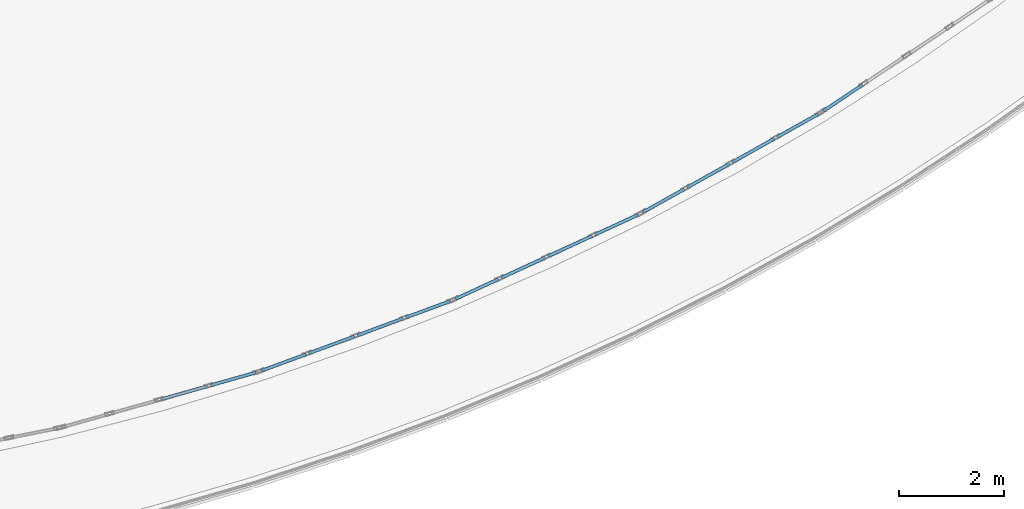
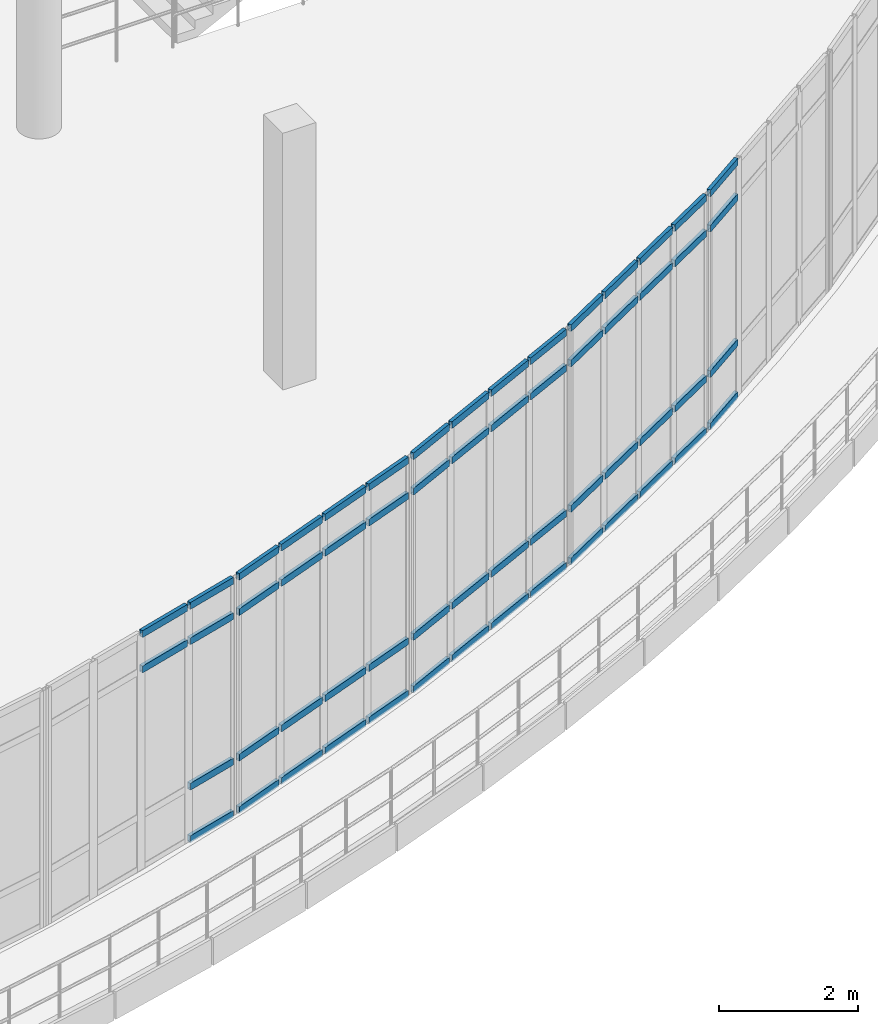
# One storey, part 88 of 134: 58 members, 5 elements without a shape of their own.
"""IFC4 building model written with IfcOpenShell, lengths in metres."""

from ifc_helpers import new_model, si_unit, direction, frame, origin, origin_2d, place, context, subcontext, project, spatial, hollow_rectangle, extrude, material, material_profile, profile_set, type_object, element, aggregate, save


model = new_model("IFC4")

# Units and contexts
model_context = context("Model", 3, precision=1e-05, world=origin(), true_north=direction((0.0, 1.0)))
body_context = subcontext(model_context, "Body", "Model", "MODEL_VIEW")
ifc_project = project(units=[si_unit("LENGTHUNIT", "METRE"), si_unit("AREAUNIT", "SQUARE_METRE"), si_unit("VOLUMEUNIT", "CUBIC_METRE"), si_unit("PLANEANGLEUNIT", "RADIAN"), si_unit("MASSUNIT", "GRAM", prefix="KILO")], contexts=[model_context])

# Site, building, storey
site_placement = place(None, origin())
site = spatial("IfcSite", under=ifc_project, at=site_placement, CompositionType="ELEMENT")
building_placement = place(site_placement, origin())
building = spatial("IfcBuilding", under=site, at=building_placement, Name="Kalluvel Institute of Natural Sciences", CompositionType="ELEMENT")
storey_placement = place(building_placement, frame((0.0, 0.0, 5.39990234375)))
storey = spatial("IfcBuildingStorey", under=building, at=storey_placement, Name="L01", CompositionType="ELEMENT", Elevation=5.39990234375)

# Curtain wall, members
ifc_material = material(Name="Aluminium AW-6063 T6", Category="aluminium")
curtain_wall_type = type_object("IfcCurtainWallType", Name="CW-ATR-ARC", PredefinedType="USERDEFINED", material=ifc_material)
curtain_wall_1_placement = place(storey_placement, origin())
curtain_wall_1 = element("IfcCurtainWall", 1, at=curtain_wall_1_placement, inside=storey, type_object=curtain_wall_type, Name="L01 Gothic lancet curtain wall CWA-L01-X473-Y542", ObjectType="UNITISED LANCET FACADE", PredefinedType="USERDEFINED")
ifc_material_profile = material_profile(ifc_material, hollow_rectangle(XDim=0.06005859375, YDim=0.1201171875, WallThickness=0.00390625, at=origin_2d()), Name="CWT 60x120")
ifc_profile_set = profile_set([ifc_material_profile], Name="Aluminium AW-6063 T6")
member_type = type_object("IfcMemberType", Name="CWT-60x120", PredefinedType="USERDEFINED", material=ifc_profile_set)
member_1_placement = place(storey_placement, frame((49.1767578125, 54.7705078125, 3.5), z_axis=(0.962419467321, 0.27156724567, 0.0), x_axis=(-0.27156724567, 0.962419467321, 0.0)))
member_1 = element("IfcMember", 2, at=member_1_placement, type_object=member_type, Name="CW-05 transom 3.3", ObjectType="TRANSOM", PredefinedType="USERDEFINED", context=body_context, shape_type="SweptSolid", body=[
    extrude(hollow_rectangle(XDim=0.06005859375, YDim=0.1201171875, WallThickness=0.00390625, at=origin_2d()), origin(), (0.0, 0.0, 1.0), 0.920654296875),
])
member_2_placement = place(storey_placement, frame((49.1767578125, 54.7705078125, 4.1201171875), z_axis=(0.962419467321, 0.27156724567, 0.0), x_axis=(-0.27156724567, 0.962419467321, 0.0)))
member_2 = element("IfcMember", 3, at=member_2_placement, type_object=member_type, Name="CW-05 transom 3.4", ObjectType="TRANSOM", PredefinedType="USERDEFINED", context=body_context, shape_type="SweptSolid", body=[
    extrude(hollow_rectangle(XDim=0.06005859375, YDim=0.1201171875, WallThickness=0.00390625, at=origin_2d()), origin(), (0.0, 0.0, 1.0), 0.920654296875),
])
member_3_placement = place(storey_placement, frame((50.12060546875, 55.03662109375, 0.030029296875), z_axis=(0.962449675986, 0.271460165022, 0.0), x_axis=(-0.271460165022, 0.962449675986, 0.0)))
member_3 = element("IfcMember", 4, at=member_3_placement, type_object=member_type, Name="CW-05 transom 4.1", ObjectType="TRANSOM", PredefinedType="USERDEFINED", context=body_context, shape_type="SweptSolid", body=[
    extrude(hollow_rectangle(XDim=0.06005859375, YDim=0.1201171875, WallThickness=0.00390625, at=origin_2d()), origin(), (0.0, 0.0, 1.0), 0.890380859375),
])
member_4_placement = place(storey_placement, frame((50.12060546875, 55.03662109375, 0.9501953125), z_axis=(0.962449675986, 0.271460165022, 0.0), x_axis=(-0.271460165022, 0.962449675986, 0.0)))
member_4 = element("IfcMember", 5, at=member_4_placement, type_object=member_type, Name="CW-05 transom 4.2", ObjectType="TRANSOM", PredefinedType="USERDEFINED", context=body_context, shape_type="SweptSolid", body=[
    extrude(hollow_rectangle(XDim=0.06005859375, YDim=0.1201171875, WallThickness=0.00390625, at=origin_2d()), origin(), (0.0, 0.0, 1.0), 0.890380859375),
])
member_5_placement = place(storey_placement, frame((50.12060546875, 55.03662109375, 3.5), z_axis=(0.962449675986, 0.271460165022, 0.0), x_axis=(-0.271460165022, 0.962449675986, 0.0)))
member_5 = element("IfcMember", 6, at=member_5_placement, type_object=member_type, Name="CW-05 transom 4.3", ObjectType="TRANSOM", PredefinedType="USERDEFINED", context=body_context, shape_type="SweptSolid", body=[
    extrude(hollow_rectangle(XDim=0.06005859375, YDim=0.1201171875, WallThickness=0.00390625, at=origin_2d()), origin(), (0.0, 0.0, 1.0), 0.890380859375),
])
member_6_placement = place(storey_placement, frame((50.12060546875, 55.03662109375, 4.1201171875), z_axis=(0.962449675986, 0.271460165022, 0.0), x_axis=(-0.271460165022, 0.962449675986, 0.0)))
member_6 = element("IfcMember", 7, at=member_6_placement, type_object=member_type, Name="CW-05 transom 4.4", ObjectType="TRANSOM", PredefinedType="USERDEFINED", context=body_context, shape_type="SweptSolid", body=[
    extrude(hollow_rectangle(XDim=0.06005859375, YDim=0.1201171875, WallThickness=0.00390625, at=origin_2d()), origin(), (0.0, 0.0, 1.0), 0.890380859375),
])
aggregate(curtain_wall_1, [member_1, member_2, member_3, member_4, member_5, member_6])

curtain_wall_2_placement = place(storey_placement, origin())
curtain_wall_2 = element("IfcCurtainWall", 8, at=curtain_wall_2_placement, inside=storey, type_object=curtain_wall_type, Name="L01 Gothic lancet curtain wall CWA-L01-X510-Y553", ObjectType="UNITISED LANCET FACADE", PredefinedType="USERDEFINED")
member_7_placement = place(storey_placement, frame((51.091796875, 55.3154296875, 0.030029296875), z_axis=(0.93814169149, 0.346251594492, 0.0), x_axis=(-0.346251594492, 0.93814169149, 0.0)))
member_7 = element("IfcMember", 9, at=member_7_placement, type_object=member_type, Name="CW-05 transom 1.1", ObjectType="TRANSOM", PredefinedType="USERDEFINED", context=body_context, shape_type="SweptSolid", body=[
    extrude(hollow_rectangle(XDim=0.06005859375, YDim=0.1201171875, WallThickness=0.00390625, at=origin_2d()), origin(), (0.0, 0.0, 1.0), 0.890625),
])
member_8_placement = place(storey_placement, frame((51.091796875, 55.3154296875, 0.9501953125), z_axis=(0.93814169149, 0.346251594492, 0.0), x_axis=(-0.346251594492, 0.93814169149, 0.0)))
member_8 = element("IfcMember", 10, at=member_8_placement, type_object=member_type, Name="CW-05 transom 1.2", ObjectType="TRANSOM", PredefinedType="USERDEFINED", context=body_context, shape_type="SweptSolid", body=[
    extrude(hollow_rectangle(XDim=0.06005859375, YDim=0.1201171875, WallThickness=0.00390625, at=origin_2d()), origin(), (0.0, 0.0, 1.0), 0.890625),
])
member_9_placement = place(storey_placement, frame((51.091796875, 55.3154296875, 3.5), z_axis=(0.93814169149, 0.346251594492, 0.0), x_axis=(-0.346251594492, 0.93814169149, 0.0)))
member_9 = element("IfcMember", 11, at=member_9_placement, type_object=member_type, Name="CW-05 transom 1.3", ObjectType="TRANSOM", PredefinedType="USERDEFINED", context=body_context, shape_type="SweptSolid", body=[
    extrude(hollow_rectangle(XDim=0.06005859375, YDim=0.1201171875, WallThickness=0.00390625, at=origin_2d()), origin(), (0.0, 0.0, 1.0), 0.890625),
])
member_10_placement = place(storey_placement, frame((51.091796875, 55.3154296875, 4.1201171875), z_axis=(0.93814169149, 0.346251594492, 0.0), x_axis=(-0.346251594492, 0.93814169149, 0.0)))
member_10 = element("IfcMember", 12, at=member_10_placement, type_object=member_type, Name="CW-05 transom 1.4", ObjectType="TRANSOM", PredefinedType="USERDEFINED", context=body_context, shape_type="SweptSolid", body=[
    extrude(hollow_rectangle(XDim=0.06005859375, YDim=0.1201171875, WallThickness=0.00390625, at=origin_2d()), origin(), (0.0, 0.0, 1.0), 0.890625),
])
member_11_placement = place(storey_placement, frame((51.9833984375, 55.64453125, 0.030029296875), z_axis=(0.938211752015, 0.346061711809, 0.0), x_axis=(-0.346061711809, 0.938211752015, 0.0)))
member_11 = element("IfcMember", 13, at=member_11_placement, type_object=member_type, Name="CW-05 transom 2.1", ObjectType="TRANSOM", PredefinedType="USERDEFINED", context=body_context, shape_type="SweptSolid", body=[
    extrude(hollow_rectangle(XDim=0.06005859375, YDim=0.1201171875, WallThickness=0.00390625, at=origin_2d()), origin(), (0.0, 0.0, 1.0), 0.920654296875),
])
member_12_placement = place(storey_placement, frame((51.9833984375, 55.64453125, 0.9501953125), z_axis=(0.938211752015, 0.346061711809, 0.0), x_axis=(-0.346061711809, 0.938211752015, 0.0)))
member_12 = element("IfcMember", 14, at=member_12_placement, type_object=member_type, Name="CW-05 transom 2.2", ObjectType="TRANSOM", PredefinedType="USERDEFINED", context=body_context, shape_type="SweptSolid", body=[
    extrude(hollow_rectangle(XDim=0.06005859375, YDim=0.1201171875, WallThickness=0.00390625, at=origin_2d()), origin(), (0.0, 0.0, 1.0), 0.920654296875),
])
member_13_placement = place(storey_placement, frame((51.9833984375, 55.64453125, 3.5), z_axis=(0.938211752015, 0.346061711809, 0.0), x_axis=(-0.346061711809, 0.938211752015, 0.0)))
member_13 = element("IfcMember", 15, at=member_13_placement, type_object=member_type, Name="CW-05 transom 2.3", ObjectType="TRANSOM", PredefinedType="USERDEFINED", context=body_context, shape_type="SweptSolid", body=[
    extrude(hollow_rectangle(XDim=0.06005859375, YDim=0.1201171875, WallThickness=0.00390625, at=origin_2d()), origin(), (0.0, 0.0, 1.0), 0.920654296875),
])
member_14_placement = place(storey_placement, frame((51.9833984375, 55.64453125, 4.1201171875), z_axis=(0.938211752015, 0.346061711809, 0.0), x_axis=(-0.346061711809, 0.938211752015, 0.0)))
member_14 = element("IfcMember", 16, at=member_14_placement, type_object=member_type, Name="CW-05 transom 2.4", ObjectType="TRANSOM", PredefinedType="USERDEFINED", context=body_context, shape_type="SweptSolid", body=[
    extrude(hollow_rectangle(XDim=0.06005859375, YDim=0.1201171875, WallThickness=0.00390625, at=origin_2d()), origin(), (0.0, 0.0, 1.0), 0.920654296875),
])
member_15_placement = place(storey_placement, frame((52.9033203125, 55.98388671875, 0.030029296875), z_axis=(0.938179982379, 0.346147830649, 0.0), x_axis=(-0.346147830649, 0.938179982379, 0.0)))
member_15 = element("IfcMember", 17, at=member_15_placement, type_object=member_type, Name="CW-05 transom 3.1", ObjectType="TRANSOM", PredefinedType="USERDEFINED", context=body_context, shape_type="SweptSolid", body=[
    extrude(hollow_rectangle(XDim=0.06005859375, YDim=0.1201171875, WallThickness=0.00390625, at=origin_2d()), origin(), (0.0, 0.0, 1.0), 0.92041015625),
])
member_16_placement = place(storey_placement, frame((52.9033203125, 55.98388671875, 0.9501953125), z_axis=(0.938179982379, 0.346147830649, 0.0), x_axis=(-0.346147830649, 0.938179982379, 0.0)))
member_16 = element("IfcMember", 18, at=member_16_placement, type_object=member_type, Name="CW-05 transom 3.2", ObjectType="TRANSOM", PredefinedType="USERDEFINED", context=body_context, shape_type="SweptSolid", body=[
    extrude(hollow_rectangle(XDim=0.06005859375, YDim=0.1201171875, WallThickness=0.00390625, at=origin_2d()), origin(), (0.0, 0.0, 1.0), 0.92041015625),
])
member_17_placement = place(storey_placement, frame((52.9033203125, 55.98388671875, 3.5), z_axis=(0.938179982379, 0.346147830649, 0.0), x_axis=(-0.346147830649, 0.938179982379, 0.0)))
member_17 = element("IfcMember", 19, at=member_17_placement, type_object=member_type, Name="CW-05 transom 3.3", ObjectType="TRANSOM", PredefinedType="USERDEFINED", context=body_context, shape_type="SweptSolid", body=[
    extrude(hollow_rectangle(XDim=0.06005859375, YDim=0.1201171875, WallThickness=0.00390625, at=origin_2d()), origin(), (0.0, 0.0, 1.0), 0.92041015625),
])
member_18_placement = place(storey_placement, frame((52.9033203125, 55.98388671875, 4.1201171875), z_axis=(0.938179982379, 0.346147830649, 0.0), x_axis=(-0.346147830649, 0.938179982379, 0.0)))
member_18 = element("IfcMember", 20, at=member_18_placement, type_object=member_type, Name="CW-05 transom 3.4", ObjectType="TRANSOM", PredefinedType="USERDEFINED", context=body_context, shape_type="SweptSolid", body=[
    extrude(hollow_rectangle(XDim=0.06005859375, YDim=0.1201171875, WallThickness=0.00390625, at=origin_2d()), origin(), (0.0, 0.0, 1.0), 0.92041015625),
])
member_19_placement = place(storey_placement, frame((53.8232421875, 56.3232421875, 0.030029296875), z_axis=(0.938230721927, 0.346010277929, 0.0), x_axis=(-0.346010277929, 0.938230721927, 0.0)))
member_19 = element("IfcMember", 21, at=member_19_placement, type_object=member_type, Name="CW-05 transom 4.1", ObjectType="TRANSOM", PredefinedType="USERDEFINED", context=body_context, shape_type="SweptSolid", body=[
    extrude(hollow_rectangle(XDim=0.06005859375, YDim=0.1201171875, WallThickness=0.00390625, at=origin_2d()), origin(), (0.0, 0.0, 1.0), 0.890380859375),
])
member_20_placement = place(storey_placement, frame((53.8232421875, 56.3232421875, 0.9501953125), z_axis=(0.938230721927, 0.346010277929, 0.0), x_axis=(-0.346010277929, 0.938230721927, 0.0)))
member_20 = element("IfcMember", 22, at=member_20_placement, type_object=member_type, Name="CW-05 transom 4.2", ObjectType="TRANSOM", PredefinedType="USERDEFINED", context=body_context, shape_type="SweptSolid", body=[
    extrude(hollow_rectangle(XDim=0.06005859375, YDim=0.1201171875, WallThickness=0.00390625, at=origin_2d()), origin(), (0.0, 0.0, 1.0), 0.890380859375),
])
member_21_placement = place(storey_placement, frame((53.8232421875, 56.3232421875, 3.5), z_axis=(0.938230721927, 0.346010277929, 0.0), x_axis=(-0.346010277929, 0.938230721927, 0.0)))
member_21 = element("IfcMember", 23, at=member_21_placement, type_object=member_type, Name="CW-05 transom 4.3", ObjectType="TRANSOM", PredefinedType="USERDEFINED", context=body_context, shape_type="SweptSolid", body=[
    extrude(hollow_rectangle(XDim=0.06005859375, YDim=0.1201171875, WallThickness=0.00390625, at=origin_2d()), origin(), (0.0, 0.0, 1.0), 0.890380859375),
])
member_22_placement = place(storey_placement, frame((53.8232421875, 56.3232421875, 4.1201171875), z_axis=(0.938230721927, 0.346010277929, 0.0), x_axis=(-0.346010277929, 0.938230721927, 0.0)))
member_22 = element("IfcMember", 24, at=member_22_placement, type_object=member_type, Name="CW-05 transom 4.4", ObjectType="TRANSOM", PredefinedType="USERDEFINED", context=body_context, shape_type="SweptSolid", body=[
    extrude(hollow_rectangle(XDim=0.06005859375, YDim=0.1201171875, WallThickness=0.00390625, at=origin_2d()), origin(), (0.0, 0.0, 1.0), 0.890380859375),
])
aggregate(curtain_wall_2, [member_7, member_8, member_9, member_10, member_11, member_12, member_13, member_14, member_15, member_16, member_17, member_18, member_19, member_20, member_21, member_22])

curtain_wall_3_placement = place(storey_placement, origin())
curtain_wall_3 = element("IfcCurtainWall", 25, at=curtain_wall_3_placement, inside=storey, type_object=curtain_wall_type, Name="L01 Gothic lancet curtain wall CWA-L01-X547-Y567", ObjectType="UNITISED LANCET FACADE", PredefinedType="USERDEFINED")
member_23_placement = place(storey_placement, frame((54.76953125, 56.67724609375, 0.030029296875), z_axis=(0.908127839573, 0.418692998499, 0.0), x_axis=(-0.418692998499, 0.908127839573, 0.0)))
member_23 = element("IfcMember", 26, at=member_23_placement, type_object=member_type, Name="CW-05 transom 1.1", ObjectType="TRANSOM", PredefinedType="USERDEFINED", context=body_context, shape_type="SweptSolid", body=[
    extrude(hollow_rectangle(XDim=0.06005859375, YDim=0.1201171875, WallThickness=0.00390625, at=origin_2d()), origin(), (0.0, 0.0, 1.0), 0.890380859375),
])
member_24_placement = place(storey_placement, frame((54.76953125, 56.67724609375, 0.9501953125), z_axis=(0.908127839573, 0.418692998499, 0.0), x_axis=(-0.418692998499, 0.908127839573, 0.0)))
member_24 = element("IfcMember", 27, at=member_24_placement, type_object=member_type, Name="CW-05 transom 1.2", ObjectType="TRANSOM", PredefinedType="USERDEFINED", context=body_context, shape_type="SweptSolid", body=[
    extrude(hollow_rectangle(XDim=0.06005859375, YDim=0.1201171875, WallThickness=0.00390625, at=origin_2d()), origin(), (0.0, 0.0, 1.0), 0.890380859375),
])
member_25_placement = place(storey_placement, frame((54.76953125, 56.67724609375, 3.5), z_axis=(0.908127839573, 0.418692998499, 0.0), x_axis=(-0.418692998499, 0.908127839573, 0.0)))
member_25 = element("IfcMember", 28, at=member_25_placement, type_object=member_type, Name="CW-05 transom 1.3", ObjectType="TRANSOM", PredefinedType="USERDEFINED", context=body_context, shape_type="SweptSolid", body=[
    extrude(hollow_rectangle(XDim=0.06005859375, YDim=0.1201171875, WallThickness=0.00390625, at=origin_2d()), origin(), (0.0, 0.0, 1.0), 0.890380859375),
])
member_26_placement = place(storey_placement, frame((54.76953125, 56.67724609375, 4.1201171875), z_axis=(0.908127839573, 0.418692998499, 0.0), x_axis=(-0.418692998499, 0.908127839573, 0.0)))
member_26 = element("IfcMember", 29, at=member_26_placement, type_object=member_type, Name="CW-05 transom 1.4", ObjectType="TRANSOM", PredefinedType="USERDEFINED", context=body_context, shape_type="SweptSolid", body=[
    extrude(hollow_rectangle(XDim=0.06005859375, YDim=0.1201171875, WallThickness=0.00390625, at=origin_2d()), origin(), (0.0, 0.0, 1.0), 0.890380859375),
])
member_27_placement = place(storey_placement, frame((55.6328125, 57.0751953125, 0.030029296875), z_axis=(0.908091299412, 0.418772243508, 0.0), x_axis=(-0.418772243508, 0.908091299412, 0.0)))
member_27 = element("IfcMember", 30, at=member_27_placement, type_object=member_type, Name="CW-05 transom 2.1", ObjectType="TRANSOM", PredefinedType="USERDEFINED", context=body_context, shape_type="SweptSolid", body=[
    extrude(hollow_rectangle(XDim=0.06005859375, YDim=0.1201171875, WallThickness=0.00390625, at=origin_2d()), origin(), (0.0, 0.0, 1.0), 0.920654296875),
])
member_28_placement = place(storey_placement, frame((55.6328125, 57.0751953125, 0.9501953125), z_axis=(0.908091299412, 0.418772243508, 0.0), x_axis=(-0.418772243508, 0.908091299412, 0.0)))
member_28 = element("IfcMember", 31, at=member_28_placement, type_object=member_type, Name="CW-05 transom 2.2", ObjectType="TRANSOM", PredefinedType="USERDEFINED", context=body_context, shape_type="SweptSolid", body=[
    extrude(hollow_rectangle(XDim=0.06005859375, YDim=0.1201171875, WallThickness=0.00390625, at=origin_2d()), origin(), (0.0, 0.0, 1.0), 0.920654296875),
])
member_29_placement = place(storey_placement, frame((55.6328125, 57.0751953125, 3.5), z_axis=(0.908091299412, 0.418772243508, 0.0), x_axis=(-0.418772243508, 0.908091299412, 0.0)))
member_29 = element("IfcMember", 32, at=member_29_placement, type_object=member_type, Name="CW-05 transom 2.3", ObjectType="TRANSOM", PredefinedType="USERDEFINED", context=body_context, shape_type="SweptSolid", body=[
    extrude(hollow_rectangle(XDim=0.06005859375, YDim=0.1201171875, WallThickness=0.00390625, at=origin_2d()), origin(), (0.0, 0.0, 1.0), 0.920654296875),
])
member_30_placement = place(storey_placement, frame((55.6328125, 57.0751953125, 4.1201171875), z_axis=(0.908091299412, 0.418772243508, 0.0), x_axis=(-0.418772243508, 0.908091299412, 0.0)))
member_30 = element("IfcMember", 33, at=member_30_placement, type_object=member_type, Name="CW-05 transom 2.4", ObjectType="TRANSOM", PredefinedType="USERDEFINED", context=body_context, shape_type="SweptSolid", body=[
    extrude(hollow_rectangle(XDim=0.06005859375, YDim=0.1201171875, WallThickness=0.00390625, at=origin_2d()), origin(), (0.0, 0.0, 1.0), 0.920654296875),
])
member_31_placement = place(storey_placement, frame((56.523193359375, 57.48583984375, 0.030029296875), z_axis=(0.9081921406, 0.41855350405, 0.0), x_axis=(-0.41855350405, 0.9081921406, 0.0)))
member_31 = element("IfcMember", 34, at=member_31_placement, type_object=member_type, Name="CW-05 transom 3.1", ObjectType="TRANSOM", PredefinedType="USERDEFINED", context=body_context, shape_type="SweptSolid", body=[
    extrude(hollow_rectangle(XDim=0.06005859375, YDim=0.1201171875, WallThickness=0.00390625, at=origin_2d()), origin(), (0.0, 0.0, 1.0), 0.92041015625),
])
member_32_placement = place(storey_placement, frame((56.523193359375, 57.48583984375, 0.9501953125), z_axis=(0.9081921406, 0.41855350405, 0.0), x_axis=(-0.41855350405, 0.9081921406, 0.0)))
member_32 = element("IfcMember", 35, at=member_32_placement, type_object=member_type, Name="CW-05 transom 3.2", ObjectType="TRANSOM", PredefinedType="USERDEFINED", context=body_context, shape_type="SweptSolid", body=[
    extrude(hollow_rectangle(XDim=0.06005859375, YDim=0.1201171875, WallThickness=0.00390625, at=origin_2d()), origin(), (0.0, 0.0, 1.0), 0.92041015625),
])
member_33_placement = place(storey_placement, frame((56.523193359375, 57.48583984375, 3.5), z_axis=(0.9081921406, 0.41855350405, 0.0), x_axis=(-0.41855350405, 0.9081921406, 0.0)))
member_33 = element("IfcMember", 36, at=member_33_placement, type_object=member_type, Name="CW-05 transom 3.3", ObjectType="TRANSOM", PredefinedType="USERDEFINED", context=body_context, shape_type="SweptSolid", body=[
    extrude(hollow_rectangle(XDim=0.06005859375, YDim=0.1201171875, WallThickness=0.00390625, at=origin_2d()), origin(), (0.0, 0.0, 1.0), 0.92041015625),
])
member_34_placement = place(storey_placement, frame((56.523193359375, 57.48583984375, 4.1201171875), z_axis=(0.9081921406, 0.41855350405, 0.0), x_axis=(-0.41855350405, 0.9081921406, 0.0)))
member_34 = element("IfcMember", 37, at=member_34_placement, type_object=member_type, Name="CW-05 transom 3.4", ObjectType="TRANSOM", PredefinedType="USERDEFINED", context=body_context, shape_type="SweptSolid", body=[
    extrude(hollow_rectangle(XDim=0.06005859375, YDim=0.1201171875, WallThickness=0.00390625, at=origin_2d()), origin(), (0.0, 0.0, 1.0), 0.92041015625),
])
member_35_placement = place(storey_placement, frame((57.41357421875, 57.896240234375, 0.030029296875), z_axis=(0.908175888741, 0.418588766105, 0.0), x_axis=(-0.418588766105, 0.908175888741, 0.0)))
member_35 = element("IfcMember", 38, at=member_35_placement, type_object=member_type, Name="CW-05 transom 4.1", ObjectType="TRANSOM", PredefinedType="USERDEFINED", context=body_context, shape_type="SweptSolid", body=[
    extrude(hollow_rectangle(XDim=0.06005859375, YDim=0.1201171875, WallThickness=0.00390625, at=origin_2d()), origin(), (0.0, 0.0, 1.0), 0.890625),
])
member_36_placement = place(storey_placement, frame((57.41357421875, 57.896240234375, 0.9501953125), z_axis=(0.908175888741, 0.418588766105, 0.0), x_axis=(-0.418588766105, 0.908175888741, 0.0)))
member_36 = element("IfcMember", 39, at=member_36_placement, type_object=member_type, Name="CW-05 transom 4.2", ObjectType="TRANSOM", PredefinedType="USERDEFINED", context=body_context, shape_type="SweptSolid", body=[
    extrude(hollow_rectangle(XDim=0.06005859375, YDim=0.1201171875, WallThickness=0.00390625, at=origin_2d()), origin(), (0.0, 0.0, 1.0), 0.890625),
])
member_37_placement = place(storey_placement, frame((57.41357421875, 57.896240234375, 3.5), z_axis=(0.908175888741, 0.418588766105, 0.0), x_axis=(-0.418588766105, 0.908175888741, 0.0)))
member_37 = element("IfcMember", 40, at=member_37_placement, type_object=member_type, Name="CW-05 transom 4.3", ObjectType="TRANSOM", PredefinedType="USERDEFINED", context=body_context, shape_type="SweptSolid", body=[
    extrude(hollow_rectangle(XDim=0.06005859375, YDim=0.1201171875, WallThickness=0.00390625, at=origin_2d()), origin(), (0.0, 0.0, 1.0), 0.890625),
])
member_38_placement = place(storey_placement, frame((57.41357421875, 57.896240234375, 4.1201171875), z_axis=(0.908175888741, 0.418588766105, 0.0), x_axis=(-0.418588766105, 0.908175888741, 0.0)))
member_38 = element("IfcMember", 41, at=member_38_placement, type_object=member_type, Name="CW-05 transom 4.4", ObjectType="TRANSOM", PredefinedType="USERDEFINED", context=body_context, shape_type="SweptSolid", body=[
    extrude(hollow_rectangle(XDim=0.06005859375, YDim=0.1201171875, WallThickness=0.00390625, at=origin_2d()), origin(), (0.0, 0.0, 1.0), 0.890625),
])
aggregate(curtain_wall_3, [member_23, member_24, member_25, member_26, member_27, member_28, member_29, member_30, member_31, member_32, member_33, member_34, member_35, member_36, member_37, member_38])

curtain_wall_4_placement = place(storey_placement, origin())
curtain_wall_4 = element("IfcCurtainWall", 42, at=curtain_wall_4_placement, inside=storey, type_object=curtain_wall_type, Name="L01 Gothic lancet curtain wall CWA-L01-X583-Y583", ObjectType="UNITISED LANCET FACADE", PredefinedType="USERDEFINED")
member_39_placement = place(storey_placement, frame((58.3291015625, 58.323486328125, 0.030029296875), z_axis=(0.872562105417, 0.488503195681, 0.0), x_axis=(-0.488503195681, 0.872562105417, 0.0)))
member_39 = element("IfcMember", 43, at=member_39_placement, type_object=member_type, Name="CW-05 transom 1.1", ObjectType="TRANSOM", PredefinedType="USERDEFINED", context=body_context, shape_type="SweptSolid", body=[
    extrude(hollow_rectangle(XDim=0.06005859375, YDim=0.1201171875, WallThickness=0.00390625, at=origin_2d()), origin(), (0.0, 0.0, 1.0), 0.890625),
])
member_40_placement = place(storey_placement, frame((58.3291015625, 58.323486328125, 0.9501953125), z_axis=(0.872562105417, 0.488503195681, 0.0), x_axis=(-0.488503195681, 0.872562105417, 0.0)))
member_40 = element("IfcMember", 44, at=member_40_placement, type_object=member_type, Name="CW-05 transom 1.2", ObjectType="TRANSOM", PredefinedType="USERDEFINED", context=body_context, shape_type="SweptSolid", body=[
    extrude(hollow_rectangle(XDim=0.06005859375, YDim=0.1201171875, WallThickness=0.00390625, at=origin_2d()), origin(), (0.0, 0.0, 1.0), 0.890625),
])
member_41_placement = place(storey_placement, frame((58.3291015625, 58.323486328125, 3.5), z_axis=(0.872562105417, 0.488503195681, 0.0), x_axis=(-0.488503195681, 0.872562105417, 0.0)))
member_41 = element("IfcMember", 45, at=member_41_placement, type_object=member_type, Name="CW-05 transom 1.3", ObjectType="TRANSOM", PredefinedType="USERDEFINED", context=body_context, shape_type="SweptSolid", body=[
    extrude(hollow_rectangle(XDim=0.06005859375, YDim=0.1201171875, WallThickness=0.00390625, at=origin_2d()), origin(), (0.0, 0.0, 1.0), 0.890625),
])
member_42_placement = place(storey_placement, frame((58.3291015625, 58.323486328125, 4.1201171875), z_axis=(0.872562105417, 0.488503195681, 0.0), x_axis=(-0.488503195681, 0.872562105417, 0.0)))
member_42 = element("IfcMember", 46, at=member_42_placement, type_object=member_type, Name="CW-05 transom 1.4", ObjectType="TRANSOM", PredefinedType="USERDEFINED", context=body_context, shape_type="SweptSolid", body=[
    extrude(hollow_rectangle(XDim=0.06005859375, YDim=0.1201171875, WallThickness=0.00390625, at=origin_2d()), origin(), (0.0, 0.0, 1.0), 0.890625),
])
member_43_placement = place(storey_placement, frame((59.158447265625, 58.787841796875, 0.030029296875), z_axis=(0.872438178622, 0.488724487295, 0.0), x_axis=(-0.488724487295, 0.872438178622, 0.0)))
member_43 = element("IfcMember", 47, at=member_43_placement, type_object=member_type, Name="CW-05 transom 2.1", ObjectType="TRANSOM", PredefinedType="USERDEFINED", context=body_context, shape_type="SweptSolid", body=[
    extrude(hollow_rectangle(XDim=0.06005859375, YDim=0.1201171875, WallThickness=0.00390625, at=origin_2d()), origin(), (0.0, 0.0, 1.0), 0.920654296875),
])
member_44_placement = place(storey_placement, frame((59.158447265625, 58.787841796875, 0.9501953125), z_axis=(0.872438178622, 0.488724487295, 0.0), x_axis=(-0.488724487295, 0.872438178622, 0.0)))
member_44 = element("IfcMember", 48, at=member_44_placement, type_object=member_type, Name="CW-05 transom 2.2", ObjectType="TRANSOM", PredefinedType="USERDEFINED", context=body_context, shape_type="SweptSolid", body=[
    extrude(hollow_rectangle(XDim=0.06005859375, YDim=0.1201171875, WallThickness=0.00390625, at=origin_2d()), origin(), (0.0, 0.0, 1.0), 0.920654296875),
])
member_45_placement = place(storey_placement, frame((59.158447265625, 58.787841796875, 3.5), z_axis=(0.872438178622, 0.488724487295, 0.0), x_axis=(-0.488724487295, 0.872438178622, 0.0)))
member_45 = element("IfcMember", 49, at=member_45_placement, type_object=member_type, Name="CW-05 transom 2.3", ObjectType="TRANSOM", PredefinedType="USERDEFINED", context=body_context, shape_type="SweptSolid", body=[
    extrude(hollow_rectangle(XDim=0.06005859375, YDim=0.1201171875, WallThickness=0.00390625, at=origin_2d()), origin(), (0.0, 0.0, 1.0), 0.920654296875),
])
member_46_placement = place(storey_placement, frame((59.158447265625, 58.787841796875, 4.1201171875), z_axis=(0.872438178622, 0.488724487295, 0.0), x_axis=(-0.488724487295, 0.872438178622, 0.0)))
member_46 = element("IfcMember", 50, at=member_46_placement, type_object=member_type, Name="CW-05 transom 2.4", ObjectType="TRANSOM", PredefinedType="USERDEFINED", context=body_context, shape_type="SweptSolid", body=[
    extrude(hollow_rectangle(XDim=0.06005859375, YDim=0.1201171875, WallThickness=0.00390625, at=origin_2d()), origin(), (0.0, 0.0, 1.0), 0.920654296875),
])
member_47_placement = place(storey_placement, frame((60.013916015625, 59.26708984375, 0.030029296875), z_axis=(0.872551237352, 0.48852260766, 0.0), x_axis=(-0.48852260766, 0.872551237352, 0.0)))
member_47 = element("IfcMember", 51, at=member_47_placement, type_object=member_type, Name="CW-05 transom 3.1", ObjectType="TRANSOM", PredefinedType="USERDEFINED", context=body_context, shape_type="SweptSolid", body=[
    extrude(hollow_rectangle(XDim=0.06005859375, YDim=0.1201171875, WallThickness=0.00390625, at=origin_2d()), origin(), (0.0, 0.0, 1.0), 0.920654296875),
])
member_48_placement = place(storey_placement, frame((60.013916015625, 59.26708984375, 0.9501953125), z_axis=(0.872551237352, 0.48852260766, 0.0), x_axis=(-0.48852260766, 0.872551237352, 0.0)))
member_48 = element("IfcMember", 52, at=member_48_placement, type_object=member_type, Name="CW-05 transom 3.2", ObjectType="TRANSOM", PredefinedType="USERDEFINED", context=body_context, shape_type="SweptSolid", body=[
    extrude(hollow_rectangle(XDim=0.06005859375, YDim=0.1201171875, WallThickness=0.00390625, at=origin_2d()), origin(), (0.0, 0.0, 1.0), 0.920654296875),
])
member_49_placement = place(storey_placement, frame((60.013916015625, 59.26708984375, 3.5), z_axis=(0.872551237352, 0.48852260766, 0.0), x_axis=(-0.48852260766, 0.872551237352, 0.0)))
member_49 = element("IfcMember", 53, at=member_49_placement, type_object=member_type, Name="CW-05 transom 3.3", ObjectType="TRANSOM", PredefinedType="USERDEFINED", context=body_context, shape_type="SweptSolid", body=[
    extrude(hollow_rectangle(XDim=0.06005859375, YDim=0.1201171875, WallThickness=0.00390625, at=origin_2d()), origin(), (0.0, 0.0, 1.0), 0.920654296875),
])
member_50_placement = place(storey_placement, frame((60.013916015625, 59.26708984375, 4.1201171875), z_axis=(0.872551237352, 0.48852260766, 0.0), x_axis=(-0.48852260766, 0.872551237352, 0.0)))
member_50 = element("IfcMember", 54, at=member_50_placement, type_object=member_type, Name="CW-05 transom 3.4", ObjectType="TRANSOM", PredefinedType="USERDEFINED", context=body_context, shape_type="SweptSolid", body=[
    extrude(hollow_rectangle(XDim=0.06005859375, YDim=0.1201171875, WallThickness=0.00390625, at=origin_2d()), origin(), (0.0, 0.0, 1.0), 0.920654296875),
])
member_51_placement = place(storey_placement, frame((60.869384765625, 59.74609375, 0.030029296875), z_axis=(0.872445247523, 0.488711868154, 0.0), x_axis=(-0.488711868154, 0.872445247523, 0.0)))
member_51 = element("IfcMember", 55, at=member_51_placement, type_object=member_type, Name="CW-05 transom 4.1", ObjectType="TRANSOM", PredefinedType="USERDEFINED", context=body_context, shape_type="SweptSolid", body=[
    extrude(hollow_rectangle(XDim=0.06005859375, YDim=0.1201171875, WallThickness=0.00390625, at=origin_2d()), origin(), (0.0, 0.0, 1.0), 0.890625),
])
member_52_placement = place(storey_placement, frame((60.869384765625, 59.74609375, 0.9501953125), z_axis=(0.872445247523, 0.488711868154, 0.0), x_axis=(-0.488711868154, 0.872445247523, 0.0)))
member_52 = element("IfcMember", 56, at=member_52_placement, type_object=member_type, Name="CW-05 transom 4.2", ObjectType="TRANSOM", PredefinedType="USERDEFINED", context=body_context, shape_type="SweptSolid", body=[
    extrude(hollow_rectangle(XDim=0.06005859375, YDim=0.1201171875, WallThickness=0.00390625, at=origin_2d()), origin(), (0.0, 0.0, 1.0), 0.890625),
])
member_53_placement = place(storey_placement, frame((60.869384765625, 59.74609375, 3.5), z_axis=(0.872445247523, 0.488711868154, 0.0), x_axis=(-0.488711868154, 0.872445247523, 0.0)))
member_53 = element("IfcMember", 57, at=member_53_placement, type_object=member_type, Name="CW-05 transom 4.3", ObjectType="TRANSOM", PredefinedType="USERDEFINED", context=body_context, shape_type="SweptSolid", body=[
    extrude(hollow_rectangle(XDim=0.06005859375, YDim=0.1201171875, WallThickness=0.00390625, at=origin_2d()), origin(), (0.0, 0.0, 1.0), 0.890625),
])
member_54_placement = place(storey_placement, frame((60.869384765625, 59.74609375, 4.1201171875), z_axis=(0.872445247523, 0.488711868154, 0.0), x_axis=(-0.488711868154, 0.872445247523, 0.0)))
member_54 = element("IfcMember", 58, at=member_54_placement, type_object=member_type, Name="CW-05 transom 4.4", ObjectType="TRANSOM", PredefinedType="USERDEFINED", context=body_context, shape_type="SweptSolid", body=[
    extrude(hollow_rectangle(XDim=0.06005859375, YDim=0.1201171875, WallThickness=0.00390625, at=origin_2d()), origin(), (0.0, 0.0, 1.0), 0.890625),
])
aggregate(curtain_wall_4, [member_39, member_40, member_41, member_42, member_43, member_44, member_45, member_46, member_47, member_48, member_49, member_50, member_51, member_52, member_53, member_54])

curtain_wall_5_placement = place(storey_placement, origin())
curtain_wall_5 = element("IfcCurtainWall", 59, at=curtain_wall_5_placement, inside=storey, type_object=curtain_wall_type, Name="L01 Gothic lancet curtain wall CWA-L01-X617-Y602", ObjectType="UNITISED LANCET FACADE", PredefinedType="USERDEFINED")
member_55_placement = place(storey_placement, frame((61.748779296875, 60.243896484375, 0.030029296875), z_axis=(0.831332496733, 0.555775386173, 0.0), x_axis=(-0.555775386173, 0.831332496733, 0.0)))
member_55 = element("IfcMember", 60, at=member_55_placement, type_object=member_type, Name="CW-05 transom 1.1", ObjectType="TRANSOM", PredefinedType="USERDEFINED", context=body_context, shape_type="SweptSolid", body=[
    extrude(hollow_rectangle(XDim=0.06005859375, YDim=0.1201171875, WallThickness=0.00390625, at=origin_2d()), origin(), (0.0, 0.0, 1.0), 0.890380859375),
])
member_56_placement = place(storey_placement, frame((61.748779296875, 60.243896484375, 0.9501953125), z_axis=(0.831332496733, 0.555775386173, 0.0), x_axis=(-0.555775386173, 0.831332496733, 0.0)))
member_56 = element("IfcMember", 61, at=member_56_placement, type_object=member_type, Name="CW-05 transom 1.2", ObjectType="TRANSOM", PredefinedType="USERDEFINED", context=body_context, shape_type="SweptSolid", body=[
    extrude(hollow_rectangle(XDim=0.06005859375, YDim=0.1201171875, WallThickness=0.00390625, at=origin_2d()), origin(), (0.0, 0.0, 1.0), 0.890380859375),
])
member_57_placement = place(storey_placement, frame((61.748779296875, 60.243896484375, 3.5), z_axis=(0.831332496733, 0.555775386173, 0.0), x_axis=(-0.555775386173, 0.831332496733, 0.0)))
member_57 = element("IfcMember", 62, at=member_57_placement, type_object=member_type, Name="CW-05 transom 1.3", ObjectType="TRANSOM", PredefinedType="USERDEFINED", context=body_context, shape_type="SweptSolid", body=[
    extrude(hollow_rectangle(XDim=0.06005859375, YDim=0.1201171875, WallThickness=0.00390625, at=origin_2d()), origin(), (0.0, 0.0, 1.0), 0.890380859375),
])
member_58_placement = place(storey_placement, frame((61.748779296875, 60.243896484375, 4.1201171875), z_axis=(0.831332496733, 0.555775386173, 0.0), x_axis=(-0.555775386173, 0.831332496733, 0.0)))
member_58 = element("IfcMember", 63, at=member_58_placement, type_object=member_type, Name="CW-05 transom 1.4", ObjectType="TRANSOM", PredefinedType="USERDEFINED", context=body_context, shape_type="SweptSolid", body=[
    extrude(hollow_rectangle(XDim=0.06005859375, YDim=0.1201171875, WallThickness=0.00390625, at=origin_2d()), origin(), (0.0, 0.0, 1.0), 0.890380859375),
])
aggregate(curtain_wall_5, [member_55, member_56, member_57, member_58])

save(model, "model.ifc")
